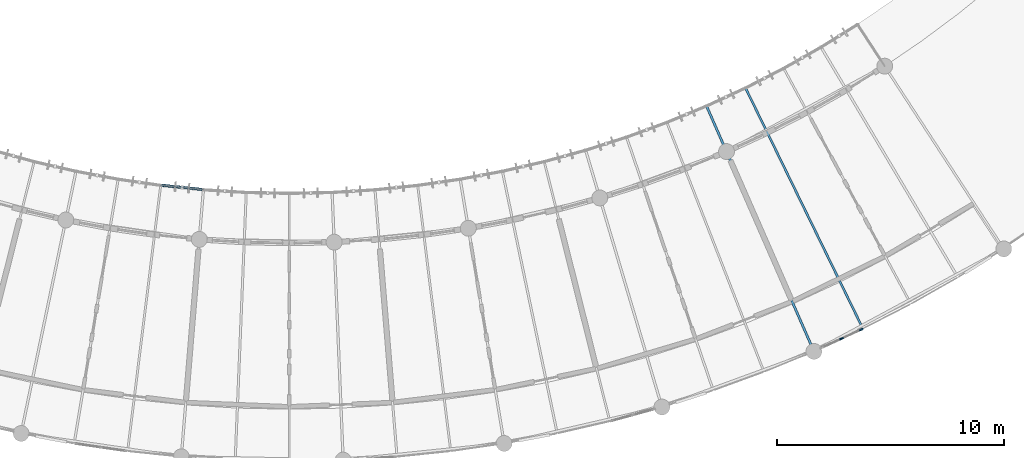
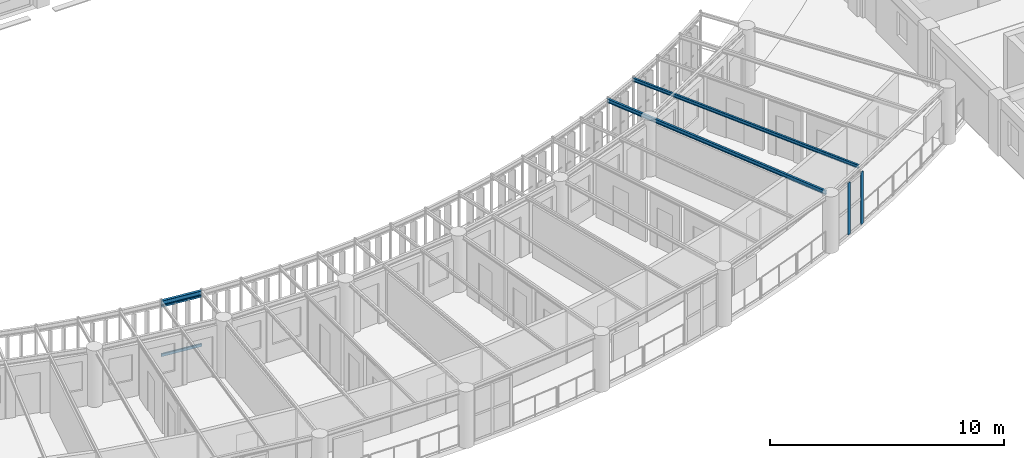
# One storey, part 29 of 137: 4 members, 3 beams, 1 element without a shape of its own.
"""IFC4 building model written with IfcOpenShell, lengths in metres."""

from ifc_helpers import new_model, si_unit, direction, frame, origin, origin_2d, place, context, subcontext, project, spatial, rectangle, hollow_rectangle, i_section, extrude, material, layer, layer_set, material_profile, profile_set, type_object, element, aggregate, save


model = new_model("IFC4")

# Units and contexts
model_context = context("Model", 3, precision=1e-05, world=origin(), true_north=direction((0.0, 1.0)))
body_context = subcontext(model_context, "Body", "Model", "MODEL_VIEW")
ifc_project = project(units=[si_unit("LENGTHUNIT", "METRE"), si_unit("AREAUNIT", "SQUARE_METRE"), si_unit("VOLUMEUNIT", "CUBIC_METRE"), si_unit("PLANEANGLEUNIT", "RADIAN"), si_unit("MASSUNIT", "GRAM", prefix="KILO"), si_unit("POWERUNIT", "WATT"), si_unit("THERMODYNAMICTEMPERATUREUNIT", "KELVIN")], contexts=[model_context])

# Site, building, storey
site_placement = place(None, origin())
site = spatial("IfcSite", under=ifc_project, at=site_placement, CompositionType="ELEMENT")
building_placement = place(site_placement, origin())
building = spatial("IfcBuilding", under=site, at=building_placement, Name="Ruvembo Vaulted Housing Court", CompositionType="ELEMENT")
storey_placement = place(building_placement, frame((0.0, 0.0, 4.5)))
storey = spatial("IfcBuildingStorey", under=building, at=storey_placement, Name="L01", CompositionType="ELEMENT", Elevation=4.5)

# Beams
ifc_material_1 = material(Name="Steel S355J2", Category="steel")
ifc_material_profile_1 = material_profile(ifc_material_1, i_section(OverallWidth=0.091064453125, OverallDepth=0.179931640625, WebThickness=0.00537109375, FlangeThickness=0.008056640625, FilletRadius=0.009033203125, at=origin_2d()), Name="IPE 180")
ifc_profile_set_1 = profile_set([ifc_material_profile_1], Name="Steel S355J2")
beam_type_1 = type_object("IfcBeamType", Name="BM-ST-IPE180", PredefinedType="JOIST", material=ifc_profile_set_1)
beam_1_placement = place(storey_placement, frame((94.163818359375, 10.406494140625, 2.85009765625), z_axis=(-0.438376534448, 0.898791418542, 0.0), x_axis=(-0.898791418542, -0.438376534448, 0.0)))
element("IfcBeam", 1, at=beam_1_placement, inside=storey, type_object=beam_type_1, Name="Scoop SC2 L01 Radial Steel Joist 25", PredefinedType="JOIST", context=body_context, shape_type="SweptSolid", body=[
    extrude(i_section(OverallWidth=0.091064453125, OverallDepth=0.179931640625, WebThickness=0.00537109375, FlangeThickness=0.008056640625, FilletRadius=0.009033203125, at=origin_2d()), origin(), (0.0, 0.0, 1.0), 11.64306640625),
])
ifc_material_profile_2 = material_profile(ifc_material_1, i_section(OverallWidth=0.10009765625, OverallDepth=0.199951171875, WebThickness=0.005615234375, FlangeThickness=0.008544921875, FilletRadius=0.011962890625, at=origin_2d()), Name="IPE 200")
ifc_profile_set_2 = profile_set([ifc_material_profile_2], Name="Steel S355J2")
beam_type_2 = type_object("IfcBeamType", Name="BM-ST-IPE200", PredefinedType="BEAM", material=ifc_profile_set_2)
beam_2_placement = place(storey_placement, frame((92.00146484375, 9.44287109375, 2.840087890625), z_axis=(-0.400930247874, 0.916108583269, 0.0), x_axis=(-0.916108583269, -0.400930247874, 0.0)))
element("IfcBeam", 2, at=beam_2_placement, inside=storey, type_object=beam_type_2, Name="Scoop SC2 L01 Radial Steel Joist 24", PredefinedType="BEAM", context=body_context, shape_type="SweptSolid", body=[
    extrude(i_section(OverallWidth=0.10009765625, OverallDepth=0.199951171875, WebThickness=0.005615234375, FlangeThickness=0.008544921875, FilletRadius=0.011962890625, at=origin_2d()), origin(), (0.0, 0.0, 1.0), 11.60986328125),
])
ifc_material_profile_3 = material_profile(ifc_material_1, i_section(OverallWidth=0.1201171875, OverallDepth=0.239990234375, WebThickness=0.006103515625, FlangeThickness=0.009765625, FilletRadius=0.014892578125, at=origin_2d()), Name="IPE 240")
ifc_profile_set_3 = profile_set([ifc_material_profile_3], Name="Steel S355J2")
beam_type_3 = type_object("IfcBeamType", Name="BM-ST-IPE240", PredefinedType="BEAM", material=ifc_profile_set_3)
beam_3_placement = place(storey_placement, frame((63.34619140625, 16.55029296875, 2.820068359375), z_axis=(0.994683125416, -0.10298291127, 0.0), x_axis=(0.10298291127, 0.994683125416, 0.0)))
element("IfcBeam", 3, at=beam_3_placement, inside=storey, type_object=beam_type_3, Name="Scoop SC2 L01 Balcony Edge Spandrel 11", PredefinedType="BEAM", context=body_context, shape_type="SweptSolid", body=[
    extrude(i_section(OverallWidth=0.1201171875, OverallDepth=0.239990234375, WebThickness=0.006103515625, FlangeThickness=0.009765625, FilletRadius=0.014892578125, at=origin_2d()), origin(), (0.0, 0.0, 1.0), 1.889404296875),
])

# Curtain wall, members
ifc_material_2 = material(Name="Anodised Aluminium and Solar-Control Glass", Category="aluminium")
ifc_layer = layer(ifc_material_2, 0.139892578125, Name="Anodised Aluminium and Solar-Control Glass")
ifc_layer_set = layer_set([ifc_layer], Name="Anodised Aluminium and Solar-Control Glass")
curtain_wall_type = type_object("IfcCurtainWallType", Name="CW-SCOOP-PAN", PredefinedType="NOTDEFINED", material=ifc_layer_set)
curtain_wall_placement = place(storey_placement, origin())
curtain_wall = element("IfcCurtainWall", 4, at=curtain_wall_placement, inside=storey, type_object=curtain_wall_type, Name="L01 Curtain Wall CW-L01-0034", PredefinedType="NOTDEFINED")
ifc_material_3 = material(Name="Anodised Aluminium 6063-T6", Category="aluminium")
ifc_material_profile_4 = material_profile(ifc_material_3, rectangle(XDim=0.06494140625, YDim=0.179931640625, at=origin_2d()), Name="ALU 65x180")
ifc_profile_set_4 = profile_set([ifc_material_profile_4], Name="Anodised Aluminium 6063-T6")
member_type_1 = type_object("IfcMemberType", Name="CW-MUL-65x180", PredefinedType="MULLION", material=ifc_profile_set_4)
member_1_placement = place(storey_placement, frame((93.30810546875, 9.793701171875, 0.0), z_axis=(0.0, 0.0, 1.0), x_axis=(-0.419738421805, 0.907645116365, 0.0)))
member_1 = element("IfcMember", 5, at=member_1_placement, type_object=member_type_1, Name="CW10 mullion 2", PredefinedType="MULLION", context=body_context, shape_type="SweptSolid", body=[
    extrude(rectangle(XDim=0.06494140625, YDim=0.179931640625, at=origin_2d()), origin(), (0.0, 0.0, 1.0), 2.697998046875),
])
member_2_placement = place(storey_placement, frame((94.17529296875, 10.19482421875, 0.0), z_axis=(0.0, 0.0, 1.0), x_axis=(-0.419738421805, 0.907645116365, 0.0)))
member_2 = element("IfcMember", 6, at=member_2_placement, type_object=member_type_1, Name="CW10 mullion 3", PredefinedType="MULLION", context=body_context, shape_type="SweptSolid", body=[
    extrude(rectangle(XDim=0.06494140625, YDim=0.179931640625, at=origin_2d()), origin(), (0.0, 0.0, 1.0), 2.697998046875),
])
aggregate(curtain_wall, [member_1, member_2])

# Members
ifc_material_profile_5 = material_profile(ifc_material_1, hollow_rectangle(XDim=0.06005859375, YDim=0.1201171875, WallThickness=0.0048828125, InnerFilletRadius=0.0048828125, OuterFilletRadius=0.010009765625, at=origin_2d()), Name="RHS 120x60x5")
ifc_profile_set_5 = profile_set([ifc_material_profile_5], Name="Steel S355J2")
member_type_2 = type_object("IfcMemberType", Name="MEM-CAR-RHS120", PredefinedType="CHORD", material=ifc_profile_set_5)
member_3_placement = place(storey_placement, frame((63.34619140625, 16.55029296875, 2.64306640625), z_axis=(0.994683125416, -0.10298291127, 0.0), x_axis=(0.10298291127, 0.994683125416, 0.0)))
element("IfcMember", 7, at=member_3_placement, inside=storey, type_object=member_type_2, Name="Scoop SC2 L01 Upper Louvre Carrier Rail 11", PredefinedType="CHORD", context=body_context, shape_type="SweptSolid", body=[
    extrude(hollow_rectangle(XDim=0.06005859375, YDim=0.1201171875, WallThickness=0.0048828125, InnerFilletRadius=0.0048828125, OuterFilletRadius=0.010009765625, at=origin_2d()), origin(), (0.0, 0.0, 1.0), 1.889404296875),
])
ifc_material_profile_6 = material_profile(ifc_material_1, hollow_rectangle(XDim=0.080078125, YDim=0.14990234375, WallThickness=0.00634765625, InnerFilletRadius=0.00634765625, OuterFilletRadius=0.0126953125, at=origin_2d()), Name="RHS 150x80x6.3")
ifc_profile_set_6 = profile_set([ifc_material_profile_6], Name="Steel S355J2")
member_type_3 = type_object("IfcMemberType", Name="MEM-CAR-RHS150", PredefinedType="CHORD", material=ifc_profile_set_6)
member_4_placement = place(storey_placement, frame((63.34619140625, 16.55029296875, 0.094970703125), z_axis=(0.994683125416, -0.10298291127, 0.0), x_axis=(0.10298291127, 0.994683125416, 0.0)))
element("IfcMember", 8, at=member_4_placement, inside=storey, type_object=member_type_3, Name="Scoop SC2 L01 Lower Louvre Carrier Rail 11", PredefinedType="CHORD", context=body_context, shape_type="SweptSolid", body=[
    extrude(hollow_rectangle(XDim=0.080078125, YDim=0.14990234375, WallThickness=0.00634765625, InnerFilletRadius=0.00634765625, OuterFilletRadius=0.0126953125, at=origin_2d()), origin(), (0.0, 0.0, 1.0), 1.889404296875),
])

save(model, "model.ifc")
